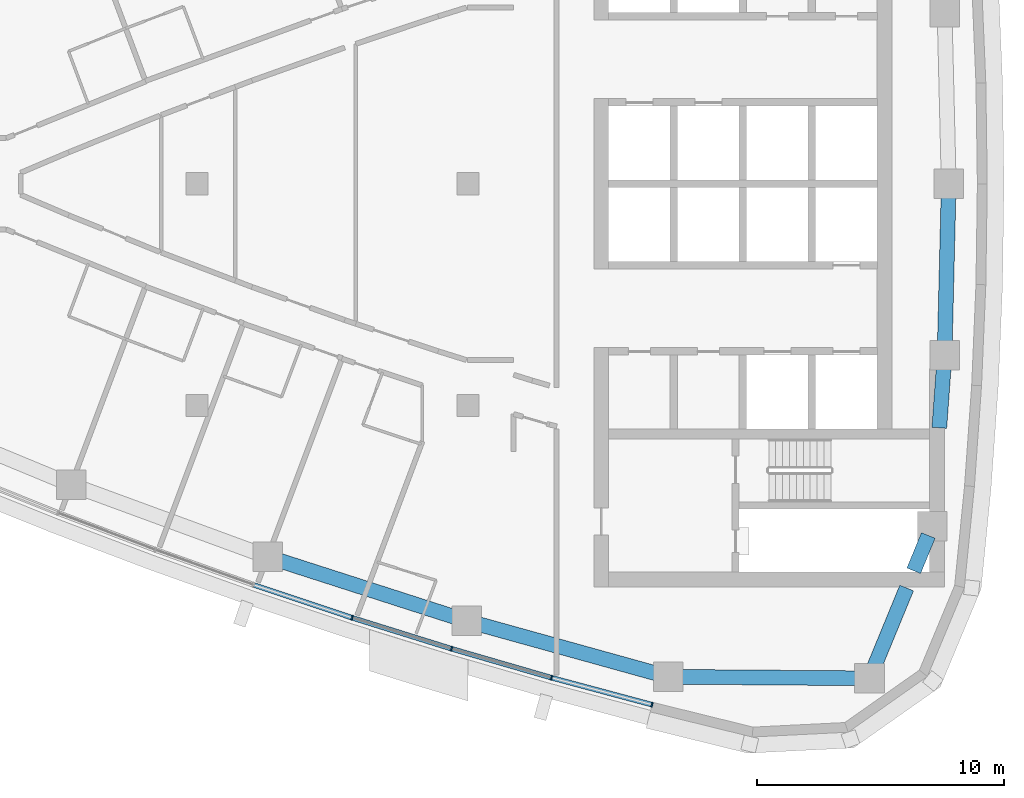
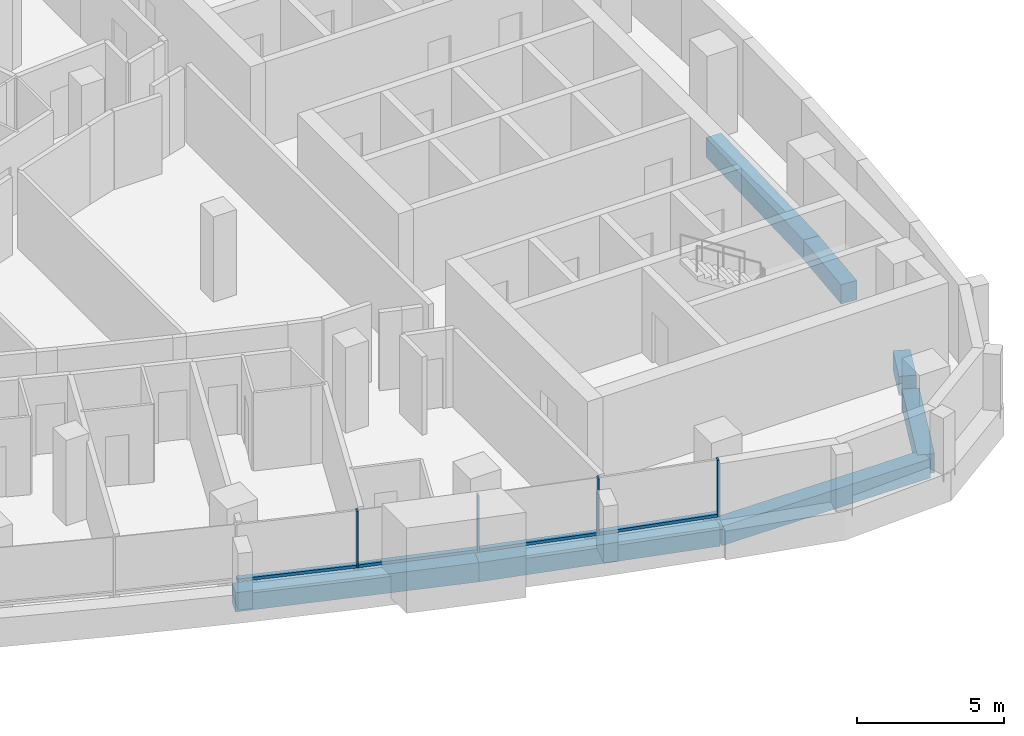
# One storey, part 4 of 16: 8 members, 7 beams, 2 elements without a shape of their own.
"""IFC4 building model written with IfcOpenShell, lengths in metres."""

from ifc_helpers import new_model, si_unit, direction, frame, origin, origin_2d, place, context, subcontext, project, spatial, rectangle, extrude, material, layer, layer_set, material_profile, profile_set, type_object, element, aggregate, save


model = new_model("IFC4")

# Units and contexts
model_context = context("Model", 3, precision=1e-05, world=origin(), true_north=direction((0.0, 1.0)))
body_context = subcontext(model_context, "Body", "Model", "MODEL_VIEW")
ifc_project = project(units=[si_unit("LENGTHUNIT", "METRE"), si_unit("AREAUNIT", "SQUARE_METRE"), si_unit("VOLUMEUNIT", "CUBIC_METRE"), si_unit("PLANEANGLEUNIT", "RADIAN"), si_unit("MASSUNIT", "GRAM", prefix="KILO")], contexts=[model_context])

# Site, building, storey
site_placement = place(None, origin())
site = spatial("IfcSite", under=ifc_project, at=site_placement, CompositionType="ELEMENT")
building_placement = place(site_placement, origin())
building = spatial("IfcBuilding", under=site, at=building_placement, Name="Ostrand Prow Hotel Tower", CompositionType="ELEMENT")
storey_placement = place(building_placement, frame((0.0, 0.0, 220.800048828125)))
storey = spatial("IfcBuildingStorey", under=building, at=storey_placement, Name="L55", CompositionType="ELEMENT", Elevation=220.800048828125)

# Beams
ifc_material_1 = material(Name="Concrete C50/60", Category="concrete")
ifc_material_profile_1 = material_profile(ifc_material_1, rectangle(XDim=0.60009765625, YDim=0.800048828125, at=origin_2d()), Name="RC 600x800")
ifc_profile_set_1 = profile_set([ifc_material_profile_1], Name="Concrete C50/60")
beam_type = type_object("IfcBeamType", Name="Edge beam 600x800 C50/60", PredefinedType="SPANDREL", material=ifc_profile_set_1)
for number, where, z_axis, x_axis, name in (
    (1, (36.8671875, -15.131591796875, -0.699951171875), (0.95193933362, -0.306286638798, 0.0), (0.306286638798, 0.95193933362, 0.0), "Edge beam S4-S5"),
    (2, (44.94677734375, -17.731201171875, -0.699951171875), (0.963625802813, -0.267255144297, 0.0), (0.267255144297, 0.963625802813, 0.0), "Edge beam S5-S6"),
):
    element("IfcBeam", number, at=place(storey_placement, frame(where, z_axis=z_axis, x_axis=x_axis)), inside=storey, type_object=beam_type, Name=name, PredefinedType="SPANDREL", context=body_context, shape_type="SweptSolid", body=[
        extrude(rectangle(XDim=0.60009765625, YDim=0.800048828125, at=origin_2d()), origin(), (0.0, 0.0, 1.0), 8.487548828125),
    ])
beam_1_placement = place(storey_placement, frame((53.12548828125, -19.99951171875, -0.699951171875), z_axis=(0.999970657582, -0.007660546678, 0.0), x_axis=(0.007660546678, 0.999970657582, 0.0)))
element("IfcBeam", 3, at=beam_1_placement, inside=storey, type_object=beam_type, Name="Edge beam S6-SE", PredefinedType="SPANDREL", context=body_context, shape_type="SweptSolid", body=[
    extrude(rectangle(XDim=0.60009765625, YDim=0.800048828125, at=origin_2d()), origin(), (0.0, 0.0, 1.0), 8.15869140625),
])
beam_2_placement = place(storey_placement, frame((61.283935546875, -20.06201171875, -0.699951171875), z_axis=(0.380777709221, 0.924666608114, 0.0), x_axis=(-0.924666608114, 0.380777709221, 0.0)))
element("IfcBeam", 4, at=beam_2_placement, inside=storey, type_object=beam_type, Name="Edge beam SE-B1", PredefinedType="SPANDREL", context=body_context, shape_type="SweptSolid", body=[
    extrude(rectangle(XDim=0.60009765625, YDim=0.800048828125, at=origin_2d()), origin(), (0.0, 0.0, 1.0), 3.96044921875),
])
beam_3_placement = place(storey_placement, frame((63.080078125, -15.699951171875, -0.699951171875), z_axis=(0.380773585759, 0.924668306145, 0.0), x_axis=(-0.924668306145, 0.380773585759, 0.0)))
element("IfcBeam", 5, at=beam_3_placement, inside=storey, type_object=beam_type, Name="Edge beam SE-B1", PredefinedType="SPANDREL", context=body_context, shape_type="SweptSolid", body=[
    extrude(rectangle(XDim=0.60009765625, YDim=0.800048828125, at=origin_2d()), origin(), (0.0, 0.0, 1.0), 1.549072265625),
])
beam_4_placement = place(storey_placement, frame((64.11669921875, -9.89990234375, -0.699951171875), z_axis=(0.072691068771, 0.997354504938, 0.0), x_axis=(-0.997354504938, 0.072691068771, 0.0)))
element("IfcBeam", 6, at=beam_4_placement, inside=storey, type_object=beam_type, Name="Edge beam B1-B2", PredefinedType="SPANDREL", context=body_context, shape_type="SweptSolid", body=[
    extrude(rectangle(XDim=0.60009765625, YDim=0.800048828125, at=origin_2d()), origin(), (0.0, 0.0, 1.0), 2.95556640625),
])
beam_5_placement = place(storey_placement, frame((64.33154296875, -6.9521484375, -0.699951171875), z_axis=(0.024223820991, 0.999706560195, 0.0), x_axis=(-0.999706560195, 0.024223820991, 0.0)))
element("IfcBeam", 7, at=beam_5_placement, inside=storey, type_object=beam_type, Name="Edge beam B2-B3", PredefinedType="SPANDREL", context=body_context, shape_type="SweptSolid", body=[
    extrude(rectangle(XDim=0.60009765625, YDim=0.800048828125, at=origin_2d()), origin(), (0.0, 0.0, 1.0), 6.9541015625),
])

# Curtain wall, members
ifc_material_2 = material(Name="Insulated glass in bronze anodised frame", Category="glass")
ifc_layer = layer(ifc_material_2, 0.199951171875)
ifc_layer_set = layer_set([ifc_layer], Name="Insulated glass in bronze anodised frame")
curtain_wall_type = type_object("IfcCurtainWallType", Name="Strip curtain wall, fritted glass over bronze spandrel", PredefinedType="NOTDEFINED", material=ifc_layer_set)
curtain_wall_1_placement = place(storey_placement, origin())
curtain_wall_1 = element("IfcCurtainWall", 8, at=curtain_wall_1_placement, inside=storey, type_object=curtain_wall_type, Name="CW1 run CWS4", PredefinedType="NOTDEFINED")
ifc_material_3 = material(Name="Bronze anodised aluminium", Category="aluminium")
ifc_material_profile_2 = material_profile(ifc_material_3, rectangle(XDim=0.199951171875, YDim=0.06005859375, at=origin_2d()), Name="Mullion 60x200 bronze anodised aluminium")
ifc_profile_set_2 = profile_set([ifc_material_profile_2], Name="Bronze anodised aluminium")
member_type_1 = type_object("IfcMemberType", Name="Mullion 60x200 bronze anodised aluminium", PredefinedType="MULLION", material=ifc_profile_set_2)
member_1_placement = place(storey_placement, frame((40.297119140625, -17.605712890625, 0.89990234375), z_axis=(0.0, 0.0, 1.0), x_axis=(0.297678138765, 0.95466629023, 0.0)))
member_1 = element("IfcMember", 9, at=member_1_placement, type_object=member_type_1, Name="CW1 mullion 2", PredefinedType="MULLION", context=body_context, shape_type="SweptSolid", body=[
    extrude(rectangle(XDim=0.199951171875, YDim=0.06005859375, at=origin_2d()), origin(), (0.0, 0.0, 1.0), 2.35009765625),
])
member_2_placement = place(storey_placement, frame((44.3291015625, -18.863037109375, 0.89990234375), z_axis=(0.0, 0.0, 1.0), x_axis=(0.297678138765, 0.95466629023, 0.0)))
member_2 = element("IfcMember", 10, at=member_2_placement, type_object=member_type_1, Name="CW1 mullion 3", PredefinedType="MULLION", context=body_context, shape_type="SweptSolid", body=[
    extrude(rectangle(XDim=0.199951171875, YDim=0.06005859375, at=origin_2d()), origin(), (0.0, 0.0, 1.0), 2.35009765625),
])

curtain_wall_2_placement = place(storey_placement, origin())
curtain_wall_2 = element("IfcCurtainWall", 11, at=curtain_wall_2_placement, inside=storey, type_object=curtain_wall_type, Name="CW1 run CWS5", PredefinedType="NOTDEFINED")
member_3_placement = place(storey_placement, frame((48.385986328125, -20.038818359375, 0.89990234375), z_axis=(0.0, 0.0, 1.0), x_axis=(0.258994370132, 0.965878831034, 0.0)))
member_3 = element("IfcMember", 12, at=member_3_placement, type_object=member_type_1, Name="CW1 mullion 2", PredefinedType="MULLION", context=body_context, shape_type="SweptSolid", body=[
    extrude(rectangle(XDim=0.199951171875, YDim=0.06005859375, at=origin_2d()), origin(), (0.0, 0.0, 1.0), 2.35009765625),
])
member_4_placement = place(storey_placement, frame((52.465576171875, -21.1328125, 0.89990234375), z_axis=(0.0, 0.0, 1.0), x_axis=(0.258994370132, 0.965878831034, 0.0)))
member_4 = element("IfcMember", 13, at=member_4_placement, type_object=member_type_1, Name="CW1 mullion 3", PredefinedType="MULLION", context=body_context, shape_type="SweptSolid", body=[
    extrude(rectangle(XDim=0.199951171875, YDim=0.06005859375, at=origin_2d()), origin(), (0.0, 0.0, 1.0), 2.35009765625),
])

# Member
ifc_material_4 = material(Name="Bronze anodised aluminium", Category="aluminium")
ifc_material_profile_3 = material_profile(ifc_material_4, rectangle(XDim=0.199951171875, YDim=0.1201171875, at=origin_2d()), Name="Transom 120x200 bronze anodised aluminium")
ifc_profile_set_3 = profile_set([ifc_material_profile_3], Name="Bronze anodised aluminium")
member_type_2 = type_object("IfcMemberType", Name="Transom 120x200 bronze anodised aluminium", PredefinedType="USERDEFINED", material=ifc_profile_set_3)
member_5_placement = place(storey_placement, frame((36.3193359375, -16.277099609375, 0.9599609375), z_axis=(0.948489622939, -0.316808199353, 0.0), x_axis=(0.316808199353, 0.948489622939, 0.0)))
member_5 = element("IfcMember", 14, at=member_5_placement, type_object=member_type_2, Name="CW1 transom 1.1", ObjectType="TRANSOM", PredefinedType="USERDEFINED", context=body_context, shape_type="SweptSolid", body=[
    extrude(rectangle(XDim=0.199951171875, YDim=0.1201171875, at=origin_2d()), origin(), (0.0, 0.0, 1.0), 4.16357421875),
])

member_6_placement = place(storey_placement, frame((40.32568359375, -17.61474609375, 0.9599609375), z_axis=(0.954676966691, -0.297643896746, 0.0), x_axis=(0.297643896746, 0.954676966691, 0.0)))
member_6 = element("IfcMember", 15, at=member_6_placement, type_object=member_type_2, Name="CW1 transom 2.1", ObjectType="TRANSOM", PredefinedType="USERDEFINED", context=body_context, shape_type="SweptSolid", body=[
    extrude(rectangle(XDim=0.199951171875, YDim=0.1201171875, at=origin_2d()), origin(), (0.0, 0.0, 1.0), 4.16357421875),
])

aggregate(curtain_wall_1, [member_1, member_2, member_5, member_6])

member_7_placement = place(storey_placement, frame((44.35791015625, -18.871337890625, 0.9599609375), z_axis=(0.960468183791, -0.278389776976, 0.0), x_axis=(0.278389776976, 0.960468183791, 0.0)))
member_7 = element("IfcMember", 16, at=member_7_placement, type_object=member_type_2, Name="CW1 transom 1.1", ObjectType="TRANSOM", PredefinedType="USERDEFINED", context=body_context, shape_type="SweptSolid", body=[
    extrude(rectangle(XDim=0.199951171875, YDim=0.1201171875, at=origin_2d()), origin(), (0.0, 0.0, 1.0), 4.163818359375),
])

member_8_placement = place(storey_placement, frame((48.4150390625, -20.046630859375, 0.9599609375), z_axis=(0.96587683346, -0.259001819657, 0.0), x_axis=(0.259001819657, 0.96587683346, 0.0)))
member_8 = element("IfcMember", 17, at=member_8_placement, type_object=member_type_2, Name="CW1 transom 2.1", ObjectType="TRANSOM", PredefinedType="USERDEFINED", context=body_context, shape_type="SweptSolid", body=[
    extrude(rectangle(XDim=0.199951171875, YDim=0.1201171875, at=origin_2d()), origin(), (0.0, 0.0, 1.0), 4.16357421875),
])

aggregate(curtain_wall_2, [member_3, member_4, member_7, member_8])

save(model, "model.ifc")
